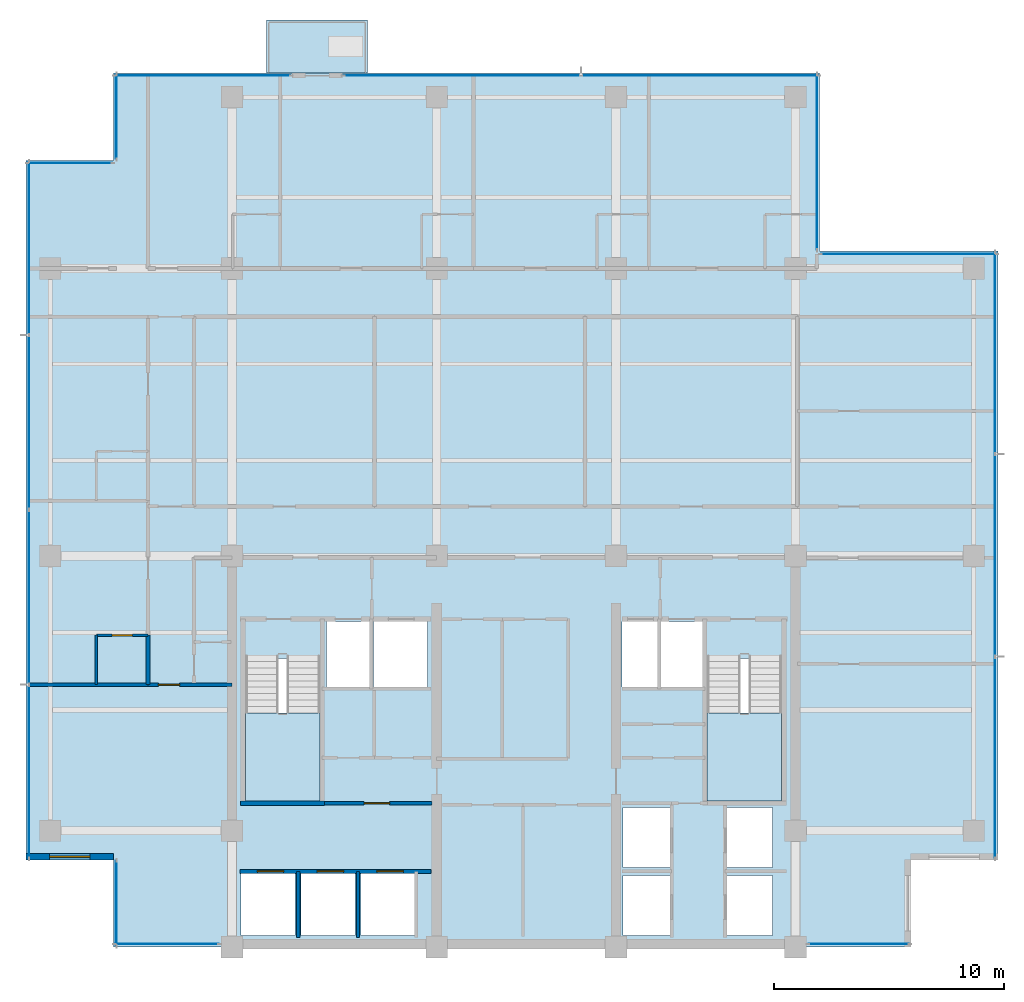
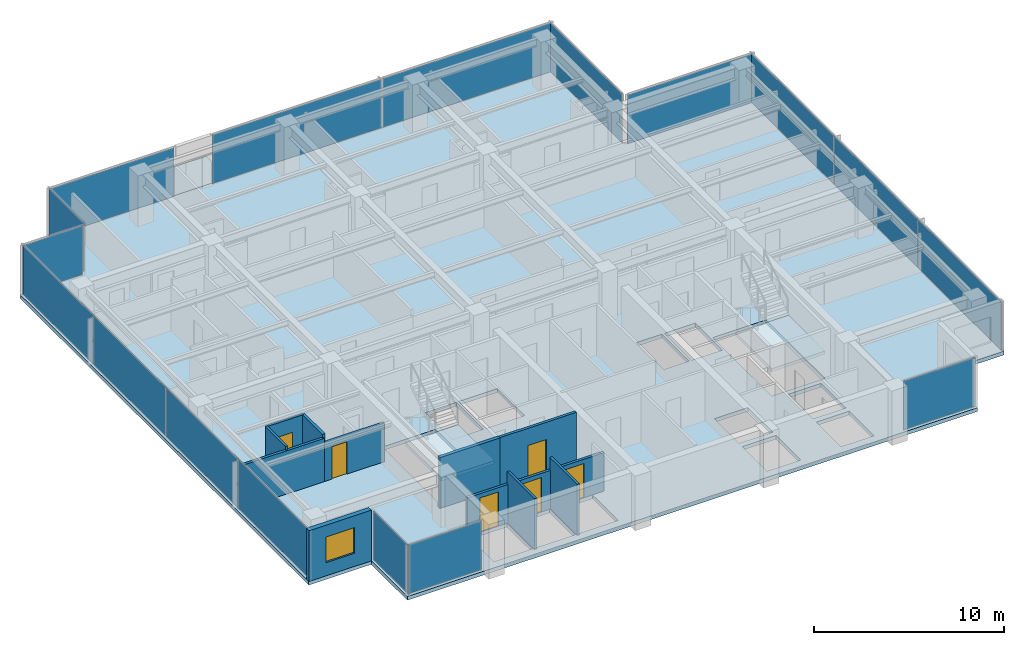
# One storey, part 6 of 14: 17 plates, 11 walls, 6 doors, 4 slabs, 1 window, 7 openings, 13 elements without a shape of their own.
"""IFC4 building model written with IfcOpenShell, lengths in metres."""

from ifc_helpers import new_model, si_unit, direction, frame, frame_2d, origin, origin_2d, place, context, subcontext, project, spatial, polyline, rectangle, outline, extrude, material, layer, layer_set, type_object, element, fill, aggregate, save


model = new_model("IFC4")

# Units and contexts
model_context = context("Model", 3, precision=1e-05, world=origin(), true_north=direction((0.0, 1.0)))
body_context = subcontext(model_context, "Body", "Model", "MODEL_VIEW")
ifc_project = project(units=[si_unit("LENGTHUNIT", "METRE"), si_unit("AREAUNIT", "SQUARE_METRE"), si_unit("VOLUMEUNIT", "CUBIC_METRE"), si_unit("PLANEANGLEUNIT", "RADIAN"), si_unit("MASSUNIT", "GRAM", prefix="KILO")], contexts=[model_context])

# Site, building, storey
site_placement = place(None, origin())
site = spatial("IfcSite", under=ifc_project, at=site_placement, CompositionType="ELEMENT")
building_placement = place(site_placement, origin())
building = spatial("IfcBuilding", under=site, at=building_placement, Name="Qalmaran Belvedere Hotel", CompositionType="ELEMENT")
storey_placement = place(building_placement, frame((0.0, 0.0, 210.89990234375)))
storey = spatial("IfcBuildingStorey", under=building, at=storey_placement, Name="L53", CompositionType="ELEMENT", Elevation=210.89990234375)

# Curtain wall, plate
ifc_material_1 = material(Name="Anodised Bronze Aluminium", Category="aluminium")
ifc_layer_1 = layer(ifc_material_1, 0.18994140625, Name="Anodised Bronze Aluminium")
ifc_layer_set_1 = layer_set([ifc_layer_1], Name="Anodised Bronze Aluminium")
curtain_wall_type = type_object("IfcCurtainWallType", Name="CW5-TOWER-UPPER", PredefinedType="NOTDEFINED", material=ifc_layer_set_1)
curtain_wall_1_placement = place(storey_placement, origin())
curtain_wall_1 = element("IfcCurtainWall", 1, at=curtain_wall_1_placement, inside=storey, type_object=curtain_wall_type, Name="L53 Curtain Wall CW5", PredefinedType="NOTDEFINED")
ifc_material_2 = material(Name="Solar-Control Double Glazing", Category="glass")
ifc_layer_2 = layer(ifc_material_2, 0.028076171875, Name="Solar-Control Double Glazing")
ifc_layer_set_2 = layer_set([ifc_layer_2], Name="Solar-Control Double Glazing")
plate_type = type_object("IfcPlateType", Name="CWP-VISION-28", PredefinedType="CURTAIN_PANEL", material=ifc_layer_set_2)
plate_1_placement = place(storey_placement, frame((17.467529296875, 3.6201171875, 0.065185546875), z_axis=(0.0, 0.0, 1.0), x_axis=(1.0, 0.0, 0.0)))
plate_1 = element("IfcPlate", 2, at=plate_1_placement, type_object=plate_type, Name="CW5 panel 1.1", PredefinedType="CURTAIN_PANEL", context=body_context, shape_type="SweptSolid", body=[
    extrude(rectangle(XDim=4.5048828125, YDim=0.028076171875, at=origin_2d()), origin(), (0.0, 0.0, 1.0), 3.1298828125),
])
aggregate(curtain_wall_1, [plate_1])

curtain_wall_2_placement = place(storey_placement, origin())
curtain_wall_2 = element("IfcCurtainWall", 3, at=curtain_wall_2_placement, inside=storey, type_object=curtain_wall_type, Name="L53 Curtain Wall CW5", PredefinedType="NOTDEFINED")
plate_2_placement = place(storey_placement, frame((47.5576171875, 3.6201171875, 0.065185546875), z_axis=(0.0, 0.0, 1.0), x_axis=(1.0, 0.0, 0.0)))
plate_2 = element("IfcPlate", 4, at=plate_2_placement, type_object=plate_type, Name="CW5 panel 1.1", PredefinedType="CURTAIN_PANEL", context=body_context, shape_type="SweptSolid", body=[
    extrude(rectangle(XDim=4.35498046875, YDim=0.028076171875, at=origin_2d()), origin(), (0.0, 0.0, 1.0), 3.1298828125),
])
aggregate(curtain_wall_2, [plate_2])

# Curtain wall, plates
curtain_wall_3_placement = place(storey_placement, origin())
curtain_wall_3 = element("IfcCurtainWall", 5, at=curtain_wall_3_placement, inside=storey, type_object=curtain_wall_type, Name="L53 Curtain Wall CW5", PredefinedType="NOTDEFINED")
plate_3_placement = place(storey_placement, frame((53.47998046875, 11.724609375, 0.065185546875), z_axis=(0.0, 0.0, 1.0), x_axis=(0.0, 1.0, 0.0)))
plate_3 = element("IfcPlate", 6, at=plate_3_placement, type_object=plate_type, Name="CW5 panel 1.1", PredefinedType="CURTAIN_PANEL", context=body_context, shape_type="SweptSolid", body=[
    extrude(rectangle(XDim=8.71923828125, YDim=0.028076171875, at=origin_2d()), origin(), (0.0, 0.0, 1.0), 3.1298828125),
])
plate_4_placement = place(storey_placement, frame((53.47998046875, 20.52490234375, 0.065185546875), z_axis=(0.0, 0.0, 1.0), x_axis=(0.0, 1.0, 0.0)))
plate_4 = element("IfcPlate", 7, at=plate_4_placement, type_object=plate_type, Name="CW5 panel 2.1", PredefinedType="CURTAIN_PANEL", context=body_context, shape_type="SweptSolid", body=[
    extrude(rectangle(XDim=8.751708984375, YDim=0.028076171875, at=origin_2d()), origin(), (0.0, 0.0, 1.0), 3.1298828125),
])
plate_5_placement = place(storey_placement, frame((53.47998046875, 29.325439453125, 0.065185546875), z_axis=(0.0, 0.0, 1.0), x_axis=(0.0, 1.0, 0.0)))
plate_5 = element("IfcPlate", 8, at=plate_5_placement, type_object=plate_type, Name="CW5 panel 3.1", PredefinedType="CURTAIN_PANEL", context=body_context, shape_type="SweptSolid", body=[
    extrude(rectangle(XDim=8.71923828125, YDim=0.028076171875, at=origin_2d()), origin(), (0.0, 0.0, 1.0), 3.1298828125),
])
aggregate(curtain_wall_3, [plate_3, plate_4, plate_5])

# Curtain wall, plate
curtain_wall_4_placement = place(storey_placement, origin())
curtain_wall_4 = element("IfcCurtainWall", 9, at=curtain_wall_4_placement, inside=storey, type_object=curtain_wall_type, Name="L53 Curtain Wall CW5", PredefinedType="NOTDEFINED")
plate_6_placement = place(storey_placement, frame((49.72509765625, 33.6298828125, 0.065185546875), z_axis=(0.0, 0.0, 1.0), x_axis=(-1.0, 0.0, 0.0)))
plate_6 = element("IfcPlate", 10, at=plate_6_placement, type_object=plate_type, Name="CW5 panel 1.1", PredefinedType="CURTAIN_PANEL", context=body_context, shape_type="SweptSolid", body=[
    extrude(rectangle(XDim=7.6201171875, YDim=0.028076171875, at=origin_2d()), origin(), (0.0, 0.0, 1.0), 3.1298828125),
])
aggregate(curtain_wall_4, [plate_6])

curtain_wall_5_placement = place(storey_placement, origin())
curtain_wall_5 = element("IfcCurtainWall", 11, at=curtain_wall_5_placement, inside=storey, type_object=curtain_wall_type, Name="L53 Curtain Wall CW5", PredefinedType="NOTDEFINED")
plate_7_placement = place(storey_placement, frame((45.72998046875, 37.625, 0.065185546875), z_axis=(0.0, 0.0, 1.0), x_axis=(0.0, 1.0, 0.0)))
plate_7 = element("IfcPlate", 12, at=plate_7_placement, type_object=plate_type, Name="CW5 panel 1.1", PredefinedType="CURTAIN_PANEL", context=body_context, shape_type="SweptSolid", body=[
    extrude(rectangle(XDim=7.6201171875, YDim=0.028076171875, at=origin_2d()), origin(), (0.0, 0.0, 1.0), 3.1298828125),
])
aggregate(curtain_wall_5, [plate_7])

curtain_wall_6_placement = place(storey_placement, origin())
curtain_wall_6 = element("IfcCurtainWall", 13, at=curtain_wall_6_placement, inside=storey, type_object=curtain_wall_type, Name="L53 Curtain Wall CW5", PredefinedType="NOTDEFINED")
plate_8_placement = place(storey_placement, frame((19.02490234375, 41.3798828125, 0.065185546875), z_axis=(0.0, 0.0, 1.0), x_axis=(-1.0, 0.0, 0.0)))
plate_8 = element("IfcPlate", 14, at=plate_8_placement, type_object=plate_type, Name="CW5 panel 1.1", PredefinedType="CURTAIN_PANEL", context=body_context, shape_type="SweptSolid", body=[
    extrude(rectangle(XDim=7.6201171875, YDim=0.028076171875, at=origin_2d()), origin(), (0.0, 0.0, 1.0), 3.1298828125),
])
aggregate(curtain_wall_6, [plate_8])

# Curtain wall, plates
curtain_wall_7_placement = place(storey_placement, origin())
curtain_wall_7 = element("IfcCurtainWall", 15, at=curtain_wall_7_placement, inside=storey, type_object=curtain_wall_type, Name="L53 Curtain Wall CW5", PredefinedType="NOTDEFINED")
plate_9_placement = place(storey_placement, frame((40.646240234375, 41.3798828125, 0.065185546875), z_axis=(0.0, 0.0, 1.0), x_axis=(-1.0, 0.0, 0.0)))
plate_9 = element("IfcPlate", 16, at=plate_9_placement, type_object=plate_type, Name="CW5 panel 1.1", PredefinedType="CURTAIN_PANEL", context=body_context, shape_type="SweptSolid", body=[
    extrude(rectangle(XDim=10.277587890625, YDim=0.028076171875, at=origin_2d()), origin(), (0.0, 0.0, 1.0), 3.1298828125),
])
plate_10_placement = place(storey_placement, frame((30.3037109375, 41.3798828125, 0.065185546875), z_axis=(0.0, 0.0, 1.0), x_axis=(-1.0, 0.0, 0.0)))
plate_10 = element("IfcPlate", 17, at=plate_10_placement, type_object=plate_type, Name="CW5 panel 2.1", PredefinedType="CURTAIN_PANEL", context=body_context, shape_type="SweptSolid", body=[
    extrude(rectangle(XDim=10.277587890625, YDim=0.028076171875, at=origin_2d()), origin(), (0.0, 0.0, 1.0), 3.1298828125),
])
aggregate(curtain_wall_7, [plate_9, plate_10])

# Curtain wall, plate
curtain_wall_8_placement = place(storey_placement, origin())
curtain_wall_8 = element("IfcCurtainWall", 18, at=curtain_wall_8_placement, inside=storey, type_object=curtain_wall_type, Name="L53 Curtain Wall CW5", PredefinedType="NOTDEFINED")
plate_11_placement = place(storey_placement, frame((15.27001953125, 39.60009765625, 0.065185546875), z_axis=(0.0, 0.0, 1.0), x_axis=(0.0, -1.0, 0.0)))
plate_11 = element("IfcPlate", 19, at=plate_11_placement, type_object=plate_type, Name="CW5 panel 1.1", PredefinedType="CURTAIN_PANEL", context=body_context, shape_type="SweptSolid", body=[
    extrude(rectangle(XDim=3.669921875, YDim=0.028076171875, at=origin_2d()), origin(), (0.0, 0.0, 1.0), 3.1298828125),
])
aggregate(curtain_wall_8, [plate_11])

curtain_wall_9_placement = place(storey_placement, origin())
curtain_wall_9 = element("IfcCurtainWall", 20, at=curtain_wall_9_placement, inside=storey, type_object=curtain_wall_type, Name="L53 Curtain Wall CW5", PredefinedType="NOTDEFINED")
plate_12_placement = place(storey_placement, frame((13.25, 37.580078125, 0.065185546875), z_axis=(0.0, 0.0, 1.0), x_axis=(-1.0, 0.0, 0.0)))
plate_12 = element("IfcPlate", 21, at=plate_12_placement, type_object=plate_type, Name="CW5 panel 1.1", PredefinedType="CURTAIN_PANEL", context=body_context, shape_type="SweptSolid", body=[
    extrude(rectangle(XDim=3.669921875, YDim=0.028076171875, at=origin_2d()), origin(), (0.0, 0.0, 1.0), 3.1298828125),
])
aggregate(curtain_wall_9, [plate_12])

# Curtain wall, plates
curtain_wall_10_placement = place(storey_placement, origin())
curtain_wall_10 = element("IfcCurtainWall", 22, at=curtain_wall_10_placement, inside=storey, type_object=curtain_wall_type, Name="L53 Curtain Wall CW5", PredefinedType="NOTDEFINED")
plate_13_placement = place(storey_placement, frame((11.469970703125, 33.8837890625, 0.065185546875), z_axis=(0.0, 0.0, 1.0), x_axis=(0.0, -1.0, 0.0)))
plate_13 = element("IfcPlate", 23, at=plate_13_placement, type_object=plate_type, Name="CW5 panel 1.1", PredefinedType="CURTAIN_PANEL", context=body_context, shape_type="SweptSolid", body=[
    extrude(rectangle(XDim=7.50244140625, YDim=0.028076171875, at=origin_2d()), origin(), (0.0, 0.0, 1.0), 3.1298828125),
])
plate_14_placement = place(storey_placement, frame((11.469970703125, 26.300048828125, 0.065185546875), z_axis=(0.0, 0.0, 1.0), x_axis=(0.0, -1.0, 0.0)))
plate_14 = element("IfcPlate", 24, at=plate_14_placement, type_object=plate_type, Name="CW5 panel 2.1", PredefinedType="CURTAIN_PANEL", context=body_context, shape_type="SweptSolid", body=[
    extrude(rectangle(XDim=7.534912109375, YDim=0.028076171875, at=origin_2d()), origin(), (0.0, 0.0, 1.0), 3.1298828125),
])
plate_15_placement = place(storey_placement, frame((11.469970703125, 18.699951171875, 0.065185546875), z_axis=(0.0, 0.0, 1.0), x_axis=(0.0, -1.0, 0.0)))
plate_15 = element("IfcPlate", 25, at=plate_15_placement, type_object=plate_type, Name="CW5 panel 3.1", PredefinedType="CURTAIN_PANEL", context=body_context, shape_type="SweptSolid", body=[
    extrude(rectangle(XDim=7.534912109375, YDim=0.028076171875, at=origin_2d()), origin(), (0.0, 0.0, 1.0), 3.1298828125),
])
plate_16_placement = place(storey_placement, frame((11.469970703125, 11.1162109375, 0.065185546875), z_axis=(0.0, 0.0, 1.0), x_axis=(0.0, -1.0, 0.0)))
plate_16 = element("IfcPlate", 26, at=plate_16_placement, type_object=plate_type, Name="CW5 panel 4.1", PredefinedType="CURTAIN_PANEL", context=body_context, shape_type="SweptSolid", body=[
    extrude(rectangle(XDim=7.50244140625, YDim=0.028076171875, at=origin_2d()), origin(), (0.0, 0.0, 1.0), 3.1298828125),
])
aggregate(curtain_wall_10, [plate_13, plate_14, plate_15, plate_16])

# Curtain wall, plate
curtain_wall_11_placement = place(storey_placement, origin())
curtain_wall_11 = element("IfcCurtainWall", 27, at=curtain_wall_11_placement, inside=storey, type_object=curtain_wall_type, Name="L53 Curtain Wall CW5", PredefinedType="NOTDEFINED")
plate_17_placement = place(storey_placement, frame((15.27001953125, 5.39990234375, 0.065185546875), z_axis=(0.0, 0.0, 1.0), x_axis=(0.0, -1.0, 0.0)))
plate_17 = element("IfcPlate", 28, at=plate_17_placement, type_object=plate_type, Name="CW5 panel 1.1", PredefinedType="CURTAIN_PANEL", context=body_context, shape_type="SweptSolid", body=[
    extrude(rectangle(XDim=3.669921875, YDim=0.028076171875, at=origin_2d()), origin(), (0.0, 0.0, 1.0), 3.1298828125),
])
aggregate(curtain_wall_11, [plate_17])

# Slab
ifc_material_3 = material(Name="Concrete C40/50", Category="concrete")
ifc_layer_3 = layer(ifc_material_3, 0.219970703125, Name="Concrete C40/50")
ifc_layer_set_3 = layer_set([ifc_layer_3], Name="Concrete C40/50")
slab_type_1 = type_object("IfcSlabType", Name="SLB-BAL-220", PredefinedType="USERDEFINED", material=ifc_layer_set_3)
slab_1_placement = place(storey_placement, frame((0.0, 0.0, -0.219970703125)))
element("IfcSlab", 29, at=slab_1_placement, inside=storey, type_object=slab_type_1, Name="L53 Planted Tree Balcony Slab 1", ObjectType="BALCONY", PredefinedType="USERDEFINED", context=body_context, shape_type="SweptSolid", body=[
    extrude(outline(polyline([(21.800048828125, 41.5), (26.199951171875, 41.5), (26.199951171875, 43.800048828125), (21.800048828125, 43.800048828125), (21.800048828125, 41.5)])), origin(), (0.0, 0.0, 1.0), 0.219970703125),
])

# Stair, slab
stair_type_1 = type_object("IfcStairType", Name="STR-ST-1-1450-R1750", PredefinedType="HALF_TURN_STAIR", material=ifc_material_3)
stair_1_placement = place(storey_placement, origin())
stair_1 = element("IfcStair", 30, at=stair_1_placement, inside=storey, type_object=stair_type_1, Name="L53 West Core Exit Stair ST-1", PredefinedType="HALF_TURN_STAIR")
ifc_layer_4 = layer(ifc_material_3, 0.199951171875, Name="Concrete C40/50")
ifc_layer_set_4 = layer_set([ifc_layer_4], Name="Concrete C40/50")
slab_type_2 = type_object("IfcSlabType", Name="SLB-STAIR-LANDING-200", PredefinedType="LANDING", material=ifc_layer_set_4)
slab_2_placement = place(storey_placement, frame((0.0, 0.0, 1.550048828125)))
slab_2 = element("IfcSlab", 31, at=slab_2_placement, type_object=slab_type_2, Name="ST-1 landing 1", PredefinedType="LANDING", context=body_context, shape_type="SweptSolid", body=[
    extrude(outline(polyline([(20.8798828125, 13.669921875), (20.8798828125, 9.85009765625), (24.1201171875, 9.85009765625), (24.1201171875, 13.669921875), (20.8798828125, 13.669921875)])), origin(), (0.0, 0.0, 1.0), 0.199951171875),
])
aggregate(stair_1, [slab_2])

stair_type_2 = type_object("IfcStairType", Name="STR-ST-2-1450-R1750", PredefinedType="HALF_TURN_STAIR", material=ifc_material_3)
stair_2_placement = place(storey_placement, origin())
stair_2 = element("IfcStair", 32, at=stair_2_placement, inside=storey, type_object=stair_type_2, Name="L53 East Core Exit Stair ST-2", PredefinedType="HALF_TURN_STAIR")
slab_3_placement = place(storey_placement, frame((0.0, 0.0, 1.550048828125)))
slab_3 = element("IfcSlab", 33, at=slab_3_placement, type_object=slab_type_2, Name="ST-2 landing 1", PredefinedType="LANDING", context=body_context, shape_type="SweptSolid", body=[
    extrude(outline(polyline([(40.9599609375, 13.669921875), (40.9599609375, 9.85009765625), (44.199951171875, 9.85009765625), (44.199951171875, 13.669921875), (40.9599609375, 13.669921875)])), origin(), (0.0, 0.0, 1.0), 0.199951171875),
])
aggregate(stair_2, [slab_3])

# Slab
ifc_layer_5 = layer(ifc_material_3, 0.239990234375, Name="Concrete C40/50")
ifc_layer_set_5 = layer_set([ifc_layer_5], Name="Concrete C40/50")
slab_type_3 = type_object("IfcSlabType", Name="SLB-Z4-240", PredefinedType="FLOOR", material=ifc_layer_set_5)
slab_4_placement = place(storey_placement, frame((0.0, 0.0, -0.239990234375)))
element("IfcSlab", 34, at=slab_4_placement, inside=storey, type_object=slab_type_3, Name="L53 Structural Floor Slab", PredefinedType="FLOOR", context=body_context, shape_type="SweptSolid", body=[
    extrude(outline(polyline([(15.14990234375, 3.5), (49.800048828125, 3.5), (49.800048828125, 7.300048828125), (53.60009765625, 7.300048828125), (53.60009765625, 33.75), (45.85009765625, 33.75), (45.85009765625, 41.5), (15.14990234375, 41.5), (15.14990234375, 37.699951171875), (11.35009765625, 37.699951171875), (11.35009765625, 7.300048828125), (15.14990234375, 7.300048828125), (15.14990234375, 3.5)]), holes=[polyline([(20.8798828125, 9.85009765625), (24.1201171875, 9.85009765625), (24.1201171875, 16.0400390625), (20.8798828125, 16.0400390625), (20.8798828125, 9.85009765625)]), polyline([(40.9599609375, 9.85009765625), (44.199951171875, 9.85009765625), (44.199951171875, 16.0400390625), (40.9599609375, 16.0400390625), (40.9599609375, 9.85009765625)]), polyline([(37.300048828125, 4.0), (39.35009765625, 4.0), (39.35009765625, 6.60009765625), (37.300048828125, 6.60009765625), (37.300048828125, 4.0)]), polyline([(37.300048828125, 6.949951171875), (39.35009765625, 6.949951171875), (39.35009765625, 9.550048828125), (37.300048828125, 9.550048828125), (37.300048828125, 6.949951171875)]), polyline([(41.800048828125, 4.0), (43.800048828125, 4.0), (43.800048828125, 6.60009765625), (41.800048828125, 6.60009765625), (41.800048828125, 4.0)]), polyline([(41.800048828125, 6.949951171875), (43.800048828125, 6.949951171875), (43.800048828125, 9.550048828125), (41.800048828125, 9.550048828125), (41.800048828125, 6.949951171875)]), polyline([(20.699951171875, 4.0), (23.050048828125, 4.0), (23.050048828125, 6.699951171875), (20.699951171875, 6.699951171875), (20.699951171875, 4.0)]), polyline([(23.300048828125, 4.0), (25.64990234375, 4.0), (25.64990234375, 6.699951171875), (23.300048828125, 6.699951171875), (23.300048828125, 4.0)]), polyline([(25.89990234375, 4.0), (28.25, 4.0), (28.25, 6.699951171875), (25.89990234375, 6.699951171875), (25.89990234375, 4.0)]), polyline([(24.39990234375, 14.800048828125), (26.300048828125, 14.800048828125), (26.300048828125, 17.64990234375), (24.39990234375, 17.64990234375), (24.39990234375, 14.800048828125)]), polyline([(38.949951171875, 14.800048828125), (40.820068359375, 14.800048828125), (40.820068359375, 17.64990234375), (38.949951171875, 17.64990234375), (38.949951171875, 14.800048828125)]), polyline([(26.449951171875, 14.800048828125), (28.800048828125, 14.800048828125), (28.800048828125, 17.64990234375), (26.449951171875, 17.64990234375), (26.449951171875, 14.800048828125)]), polyline([(37.25, 14.800048828125), (38.800048828125, 14.800048828125), (38.800048828125, 17.64990234375), (37.25, 17.64990234375), (37.25, 14.800048828125)])]), origin(), (0.0, 0.0, 1.0), 0.239990234375),
])

# Wall, opening, window
ifc_material_4 = material(Name="Anodised Bronze Cladding")
ifc_layer_6 = layer(ifc_material_4, 0.280029296875, Name="Anodised Bronze Cladding")
ifc_layer_set_6 = layer_set([ifc_layer_6], Name="Anodised Bronze Cladding")
wall_type_1 = type_object("IfcWallType", Name="WL-EXT-BRNZ-280", PredefinedType="SOLIDWALL", material=ifc_layer_set_6)
wall_1_placement = place(storey_placement, frame((11.35009765625, 7.419921875, 0.0), z_axis=(0.0, 0.0, 1.0), x_axis=(1.0, 0.0, 0.0)))
wall_1 = element("IfcWall", 35, at=wall_1_placement, inside=storey, type_object=wall_type_1, Name="L53 Corner Notch Wall 10", PredefinedType="SOLIDWALL", context=body_context, shape_type="SweptSolid", body=[
    extrude(rectangle(XDim=3.7998046875, YDim=0.280029296875, at=frame_2d((1.89990234375, 0.0))), origin(), (0.0, 0.0, 1.0), 3.260009765625),
])
opening_1_placement = place(wall_1_placement, frame((1.02490234375, 0.0, 0.85009765625)))
opening_1 = element("IfcOpeningElement", 36, at=opening_1_placement, cuts=wall_1, Name="Opening W-N17", PredefinedType="OPENING", context=body_context, shape_type="SweptSolid", body=[
    extrude(rectangle(XDim=1.75, YDim=1.64990234375, at=frame_2d((0.875, 0.824951171875))), frame((0.0, 0.14990234375, 0.0), z_axis=(0.0, -1.0, 0.0), x_axis=(1.0, 0.0, 0.0)), (0.0, 0.0, 1.0), 0.300048828125),
])
window_type = type_object("IfcWindowType", Name="WN-NTC-1750X1650", PartitioningType="SINGLE_PANEL", PredefinedType="WINDOW", material=ifc_material_2)
window_placement = place(opening_1_placement, origin())
window = element("IfcWindow", 37, at=window_placement, inside=storey, type_object=window_type, Name="L53 Corner Notch Window 10", OverallHeight=1.64990234375, OverallWidth=1.75, PartitioningType="SINGLE_PANEL", PredefinedType="WINDOW", context=body_context, shape_type="SweptSolid", body=[
    extrude(rectangle(XDim=1.75, YDim=1.64990234375, at=frame_2d((0.875, 0.824951171875))), frame((0.0, 0.030029296875, 0.0), z_axis=(0.0, -1.0, 0.0), x_axis=(1.0, 0.0, 0.0)), (0.0, 0.0, 1.0), 0.06005859375),
])
fill(opening_1, window)

# Wall, opening, door
ifc_material_5 = material(Name="Moisture-Resistant Gypsum")
ifc_layer_7 = layer(ifc_material_5, 0.1201171875, Name="Moisture-Resistant Gypsum")
ifc_layer_set_7 = layer_set([ifc_layer_7], Name="Moisture-Resistant Gypsum")
wall_type_2 = type_object("IfcWallType", Name="WL-INT-120-BATH", PredefinedType="PARTITIONING", material=ifc_layer_set_7)
wall_2_placement = place(storey_placement, frame((14.39990234375, 17.050048828125, 0.0), z_axis=(0.0, 0.0, 1.0), x_axis=(1.0, 0.0, 0.0)))
wall_2 = element("IfcWall", 38, at=wall_2_placement, inside=storey, type_object=wall_type_2, Name="L53 Partition WL-L53-WBN00", PredefinedType="PARTITIONING", context=body_context, shape_type="SweptSolid", body=[
    extrude(rectangle(XDim=2.25, YDim=0.1201171875, at=frame_2d((1.125, 0.0))), origin(), (0.0, 0.0, 1.0), 2.998046875),
])
opening_2_placement = place(wall_2_placement, frame((1.56494140625, 0.0, 0.0), z_axis=(0.0, 0.0, 1.0), x_axis=(-1.0, 0.0, 0.0)))
opening_2 = element("IfcOpeningElement", 39, at=opening_2_placement, cuts=wall_2, Name="Opening D-BATH", PredefinedType="OPENING", context=body_context, shape_type="SweptSolid", body=[
    extrude(rectangle(XDim=0.8798828125, YDim=2.080078125, at=frame_2d((0.43994140625, 1.0400390625))), frame((0.0, 0.070068359375, 0.0), z_axis=(0.0, -1.0, 0.0), x_axis=(1.0, 0.0, 0.0)), (0.0, 0.0, 1.0), 0.14013671875),
])
ifc_material_6 = material(Name="Engineered Oak Veneer")
door_type_1 = type_object("IfcDoorType", Name="DR-INT-BATH-880X2080", OperationType="NOTDEFINED", PredefinedType="DOOR", material=ifc_material_6)
door_1_placement = place(opening_2_placement, origin())
door_1 = element("IfcDoor", 40, at=door_1_placement, inside=storey, type_object=door_type_1, Name="L53 W Ensuite Door 01", OperationType="SINGLE_SWING_RIGHT", OverallHeight=2.080078125, OverallWidth=0.8798828125, PredefinedType="DOOR", context=body_context, shape_type="SweptSolid", body=[
    extrude(rectangle(XDim=0.8798828125, YDim=2.080078125, at=frame_2d((0.43994140625, 1.0400390625))), frame((0.0, 0.02490234375, 0.0), z_axis=(0.0, -1.0, 0.0), x_axis=(1.0, 0.0, 0.0)), (0.0, 0.0, 1.0), 0.050048828125),
])
fill(opening_2, door_1)

# Walls
wall_3_placement = place(storey_placement, frame((14.39990234375, 14.89990234375, 0.0), z_axis=(0.0, 0.0, 1.0), x_axis=(0.0, 1.0, 0.0)))
element("IfcWall", 41, at=wall_3_placement, inside=storey, type_object=wall_type_2, Name="L53 Partition WL-L53-WBS00", PredefinedType="PARTITIONING", context=body_context, shape_type="SweptSolid", body=[
    extrude(rectangle(XDim=2.150146484375, YDim=0.1201171875, at=frame_2d((1.0751953125, 0.0))), origin(), (0.0, 0.0, 1.0), 2.998046875),
])
ifc_material_7 = material(Name="Gypsum Stud Partition")
ifc_layer_8 = layer(ifc_material_7, 0.14990234375, Name="Gypsum Stud Partition")
ifc_layer_set_8 = layer_set([ifc_layer_8], Name="Gypsum Stud Partition")
wall_type_3 = type_object("IfcWallType", Name="WL-INT-150-EI120", PredefinedType="PARTITIONING", material=ifc_layer_set_8)
for number, where, z_axis, x_axis, name in (
    (42, (23.179931640625, 3.89990234375, 0.0), (0.0, 0.0, 1.0), (0.0, 1.0, 0.0), "L53 Partition WL-POM1-L53"),
    (43, (25.780029296875, 3.89990234375, 0.0), (0.0, 0.0, 1.0), (0.0, 1.0, 0.0), "L53 Partition WL-POM2-L53"),
):
    element("IfcWall", number, at=place(storey_placement, frame(where, z_axis=z_axis, x_axis=x_axis)), inside=storey, type_object=wall_type_3, Name=name, PredefinedType="PARTITIONING", context=body_context, shape_type="SweptSolid", body=[
        extrude(rectangle(XDim=2.880126953125, YDim=0.14990234375, at=frame_2d((1.43994140625, 0.0))), origin(), (0.0, 0.0, 1.0), 3.260009765625),
    ])

# Wall, openings, doors
ifc_layer_9 = layer(ifc_material_7, 0.159912109375, Name="Gypsum Stud Partition")
ifc_layer_set_9 = layer_set([ifc_layer_9], Name="Gypsum Stud Partition")
wall_type_4 = type_object("IfcWallType", Name="WL-INT-160-EI120", PredefinedType="PARTITIONING", material=ifc_layer_set_9)
wall_4_placement = place(storey_placement, frame((20.64990234375, 6.780029296875, 0.0), z_axis=(0.0, 0.0, 1.0), x_axis=(1.0, 0.0, 0.0)))
wall_4 = element("IfcWall", 44, at=wall_4_placement, inside=storey, type_object=wall_type_4, Name="L53 Partition WL-POS-L53", PredefinedType="PARTITIONING", context=body_context, shape_type="SweptSolid", body=[
    extrude(rectangle(XDim=8.300048828125, YDim=0.159912109375, at=frame_2d((4.14990234375, 0.0))), origin(), (0.0, 0.0, 1.0), 2.47216796875),
])
opening_3_placement = place(wall_4_placement, frame((0.75, 0.0, 0.0)))
opening_3 = element("IfcOpeningElement", 45, at=opening_3_placement, cuts=wall_4, Name="Opening LD-PO", PredefinedType="OPENING", context=body_context, shape_type="SweptSolid", body=[
    extrude(rectangle(XDim=1.14990234375, YDim=2.199951171875, at=frame_2d((0.574951171875, 1.10009765625))), frame((0.0, 0.08984375, 0.0), z_axis=(0.0, -1.0, 0.0), x_axis=(1.0, 0.0, 0.0)), (0.0, 0.0, 1.0), 0.179931640625),
])
opening_4_placement = place(wall_4_placement, frame((3.35009765625, 0.0, 0.0)))
opening_4 = element("IfcOpeningElement", 46, at=opening_4_placement, cuts=wall_4, Name="Opening LD-PO", PredefinedType="OPENING", context=body_context, shape_type="SweptSolid", body=[
    extrude(rectangle(XDim=1.14990234375, YDim=2.199951171875, at=frame_2d((0.574951171875, 1.10009765625))), frame((0.0, 0.08984375, 0.0), z_axis=(0.0, -1.0, 0.0), x_axis=(1.0, 0.0, 0.0)), (0.0, 0.0, 1.0), 0.179931640625),
])
opening_5_placement = place(wall_4_placement, frame((5.949951171875, 0.0, 0.0)))
opening_5 = element("IfcOpeningElement", 47, at=opening_5_placement, cuts=wall_4, Name="Opening LD-PO", PredefinedType="OPENING", context=body_context, shape_type="SweptSolid", body=[
    extrude(rectangle(XDim=1.14990234375, YDim=2.199951171875, at=frame_2d((0.574951171875, 1.10009765625))), frame((0.0, 0.08984375, 0.0), z_axis=(0.0, -1.0, 0.0), x_axis=(1.0, 0.0, 0.0)), (0.0, 0.0, 1.0), 0.179931640625),
])
door_type_2 = type_object("IfcDoorType", Name="DR-LIFT-PO-1150X2200", OperationType="DOUBLE_DOOR_SLIDING", PredefinedType="DOOR", material=ifc_material_1)
door_2_placement = place(opening_3_placement, origin())
door_2 = element("IfcDoor", 48, at=door_2_placement, inside=storey, type_object=door_type_2, Name="L53 PO1 Shuttle Landing Door", OperationType="DOUBLE_DOOR_SLIDING", OverallHeight=2.199951171875, OverallWidth=1.14990234375, PredefinedType="DOOR", context=body_context, shape_type="SweptSolid", body=[
    extrude(rectangle(XDim=1.14990234375, YDim=2.199951171875, at=frame_2d((0.574951171875, 1.10009765625))), frame((0.0, 0.02490234375, 0.0), z_axis=(0.0, -1.0, 0.0), x_axis=(1.0, 0.0, 0.0)), (0.0, 0.0, 1.0), 0.050048828125),
])
fill(opening_3, door_2)
door_3_placement = place(opening_4_placement, origin())
door_3 = element("IfcDoor", 49, at=door_3_placement, inside=storey, type_object=door_type_2, Name="L53 PO2 Shuttle Landing Door", OperationType="DOUBLE_DOOR_SLIDING", OverallHeight=2.199951171875, OverallWidth=1.14990234375, PredefinedType="DOOR", context=body_context, shape_type="SweptSolid", body=[
    extrude(rectangle(XDim=1.14990234375, YDim=2.199951171875, at=frame_2d((0.574951171875, 1.10009765625))), frame((0.0, 0.02490234375, 0.0), z_axis=(0.0, -1.0, 0.0), x_axis=(1.0, 0.0, 0.0)), (0.0, 0.0, 1.0), 0.050048828125),
])
fill(opening_4, door_3)
door_4_placement = place(opening_5_placement, origin())
door_4 = element("IfcDoor", 50, at=door_4_placement, inside=storey, type_object=door_type_2, Name="L53 PO3 Shuttle Landing Door", OperationType="DOUBLE_DOOR_SLIDING", OverallHeight=2.199951171875, OverallWidth=1.14990234375, PredefinedType="DOOR", context=body_context, shape_type="SweptSolid", body=[
    extrude(rectangle(XDim=1.14990234375, YDim=2.199951171875, at=frame_2d((0.574951171875, 1.10009765625))), frame((0.0, 0.02490234375, 0.0), z_axis=(0.0, -1.0, 0.0), x_axis=(1.0, 0.0, 0.0)), (0.0, 0.0, 1.0), 0.050048828125),
])
fill(opening_5, door_4)

# Wall, opening, door
wall_5_placement = place(storey_placement, frame((24.199951171875, 9.739990234375, 0.0), z_axis=(0.0, 0.0, 1.0), x_axis=(1.0, 0.0, 0.0)))
wall_5 = element("IfcWall", 51, at=wall_5_placement, inside=storey, type_object=wall_type_4, Name="L53 Partition WL-PON-L53", PredefinedType="PARTITIONING", context=body_context, shape_type="SweptSolid", body=[
    extrude(rectangle(XDim=4.800048828125, YDim=0.159912109375, at=frame_2d((2.39990234375, 0.0))), origin(), (0.0, 0.0, 1.0), 3.260009765625),
])
opening_6_placement = place(wall_5_placement, frame((1.85009765625, 0.0, 0.0)))
opening_6 = element("IfcOpeningElement", 52, at=opening_6_placement, cuts=wall_5, Name="Opening FD90", PredefinedType="OPENING", context=body_context, shape_type="SweptSolid", body=[
    extrude(rectangle(XDim=1.10009765625, YDim=2.14990234375, at=frame_2d((0.550048828125, 1.074951171875))), frame((0.0, 0.08984375, 0.0), z_axis=(0.0, -1.0, 0.0), x_axis=(1.0, 0.0, 0.0)), (0.0, 0.0, 1.0), 0.179931640625),
])
ifc_material_8 = material(Name="Steel S355JR", Category="steel")
door_type_3 = type_object("IfcDoorType", Name="DR-FD90-1100X2150", OperationType="NOTDEFINED", PredefinedType="DOOR", material=ifc_material_8)
door_5_placement = place(opening_6_placement, origin())
door_5 = element("IfcDoor", 53, at=door_5_placement, inside=storey, type_object=door_type_3, Name="L53 Shuttle Lobby Passage Door", OperationType="SINGLE_SWING_LEFT", OverallHeight=2.14990234375, OverallWidth=1.10009765625, PredefinedType="DOOR", context=body_context, shape_type="SweptSolid", body=[
    extrude(rectangle(XDim=1.10009765625, YDim=2.14990234375, at=frame_2d((0.550048828125, 1.074951171875))), frame((0.0, 0.02490234375, 0.0), z_axis=(0.0, -1.0, 0.0), x_axis=(1.0, 0.0, 0.0)), (0.0, 0.0, 1.0), 0.050048828125),
])
fill(opening_6, door_5)

ifc_layer_10 = layer(ifc_material_7, 0.159912109375, Name="Gypsum Stud Partition")
ifc_layer_set_10 = layer_set([ifc_layer_10], Name="Gypsum Stud Partition")
wall_type_5 = type_object("IfcWallType", Name="WL-INT-160-EI60", PredefinedType="PARTITIONING", material=ifc_layer_set_10)
wall_6_placement = place(storey_placement, frame((16.64990234375, 14.89990234375, 0.0), z_axis=(0.0, 0.0, 1.0), x_axis=(1.0, 0.0, 0.0)))
wall_6 = element("IfcWall", 54, at=wall_6_placement, inside=storey, type_object=wall_type_5, Name="L53 Partition WL-L53-SWRL", PredefinedType="PARTITIONING", context=body_context, shape_type="SweptSolid", body=[
    extrude(rectangle(XDim=3.650146484375, YDim=0.159912109375, at=frame_2d((1.8251953125, 0.0))), origin(), (0.0, 0.0, 1.0), 2.47216796875),
])
opening_7_placement = place(wall_6_placement, frame((1.369873046875, 0.0, 0.0), z_axis=(0.0, 0.0, 1.0), x_axis=(-1.0, 0.0, 0.0)))
opening_7 = element("IfcOpeningElement", 55, at=opening_7_placement, cuts=wall_6, Name="Opening FD60S1", PredefinedType="OPENING", context=body_context, shape_type="SweptSolid", body=[
    extrude(rectangle(XDim=0.919921875, YDim=2.080078125, at=frame_2d((0.4599609375, 1.0400390625))), frame((0.0, 0.08984375, 0.0), z_axis=(0.0, -1.0, 0.0), x_axis=(1.0, 0.0, 0.0)), (0.0, 0.0, 1.0), 0.179931640625),
])
door_type_4 = type_object("IfcDoorType", Name="DR-FD60S-920X2080", OperationType="NOTDEFINED", PredefinedType="DOOR", material=ifc_material_6)
door_6_placement = place(opening_7_placement, origin())
door_6 = element("IfcDoor", 56, at=door_6_placement, inside=storey, type_object=door_type_4, Name="L53 SW Study Door", OperationType="SINGLE_SWING_LEFT", OverallHeight=2.080078125, OverallWidth=0.919921875, PredefinedType="DOOR", context=body_context, shape_type="SweptSolid", body=[
    extrude(rectangle(XDim=0.919921875, YDim=2.080078125, at=frame_2d((0.4599609375, 1.0400390625))), frame((0.0, 0.02490234375, 0.0), z_axis=(0.0, -1.0, 0.0), x_axis=(1.0, 0.0, 0.0)), (0.0, 0.0, 1.0), 0.050048828125),
])
fill(opening_7, door_6)

# Walls
wall_7_placement = place(storey_placement, frame((11.469970703125, 14.89990234375, 0.0), z_axis=(0.0, 0.0, 1.0), x_axis=(1.0, 0.0, 0.0)))
element("IfcWall", 57, at=wall_7_placement, inside=storey, type_object=wall_type_5, Name="L53 Partition WL-L53-WBOT", PredefinedType="PARTITIONING", context=body_context, shape_type="SweptSolid", body=[
    extrude(rectangle(XDim=5.179931640625, YDim=0.159912109375, at=frame_2d((2.58984375, 0.0))), origin(), (0.0, 0.0, 1.0), 2.781982421875),
])
ifc_layer_11 = layer(ifc_material_7, 0.179931640625, Name="Gypsum Stud Partition")
ifc_layer_set_11 = layer_set([ifc_layer_11], Name="Gypsum Stud Partition")
wall_type_6 = type_object("IfcWallType", Name="WL-INT-180-EI60", PredefinedType="PARTITIONING", material=ifc_layer_set_11)
wall_8_placement = place(storey_placement, frame((16.64990234375, 14.89990234375, 0.0), z_axis=(0.0, 0.0, 1.0), x_axis=(0.0, 1.0, 0.0)))
element("IfcWall", 58, at=wall_8_placement, inside=storey, type_object=wall_type_6, Name="L53 Partition WL-L53-WBC00", PredefinedType="PARTITIONING", context=body_context, shape_type="SweptSolid", body=[
    extrude(rectangle(XDim=2.150146484375, YDim=0.179931640625, at=frame_2d((1.0751953125, 0.0))), origin(), (0.0, 0.0, 1.0), 2.998046875),
])
ifc_material_9 = material(Name="Concrete C50/60", Category="concrete")
ifc_layer_12 = layer(ifc_material_9, 0.2099609375, Name="Concrete C50/60")
ifc_layer_set_12 = layer_set([ifc_layer_12], Name="Concrete C50/60")
wall_type_7 = type_object("IfcWallType", Name="WL-STAIR-210-C50", PredefinedType="SHEAR", material=ifc_layer_set_12)
wall_9_placement = place(storey_placement, frame((20.669921875, 9.7451171875, 0.0), z_axis=(0.0, 0.0, 1.0), x_axis=(1.0, 0.0, 0.0)))
element("IfcWall", 59, at=wall_9_placement, inside=storey, type_object=wall_type_7, Name="L53 Stair ST-1 South Bearing Wall", PredefinedType="SHEAR", context=body_context, shape_type="SweptSolid", body=[
    extrude(rectangle(XDim=3.66015625, YDim=0.2099609375, at=frame_2d((1.830078125, 0.0))), origin(), (0.0, 0.0, 1.0), 3.260009765625),
])

save(model, "model.ifc")
